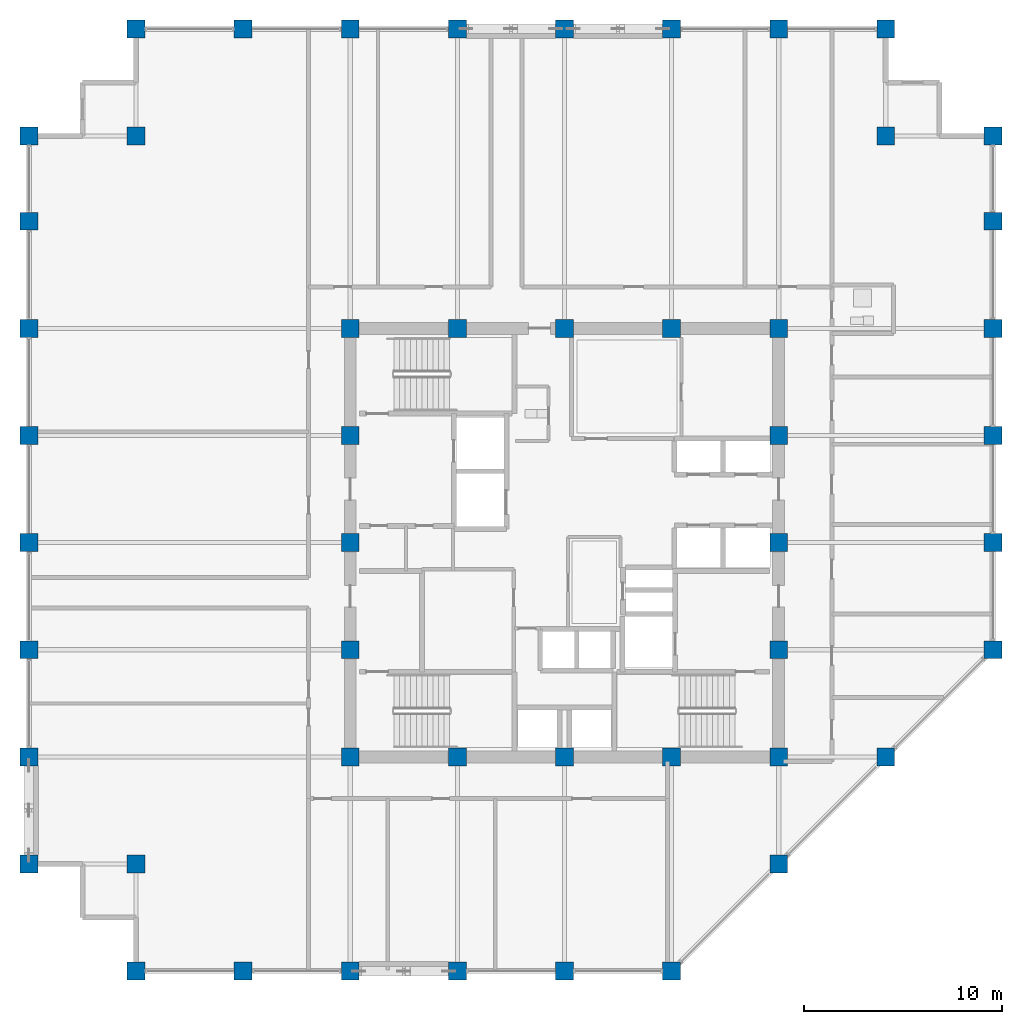
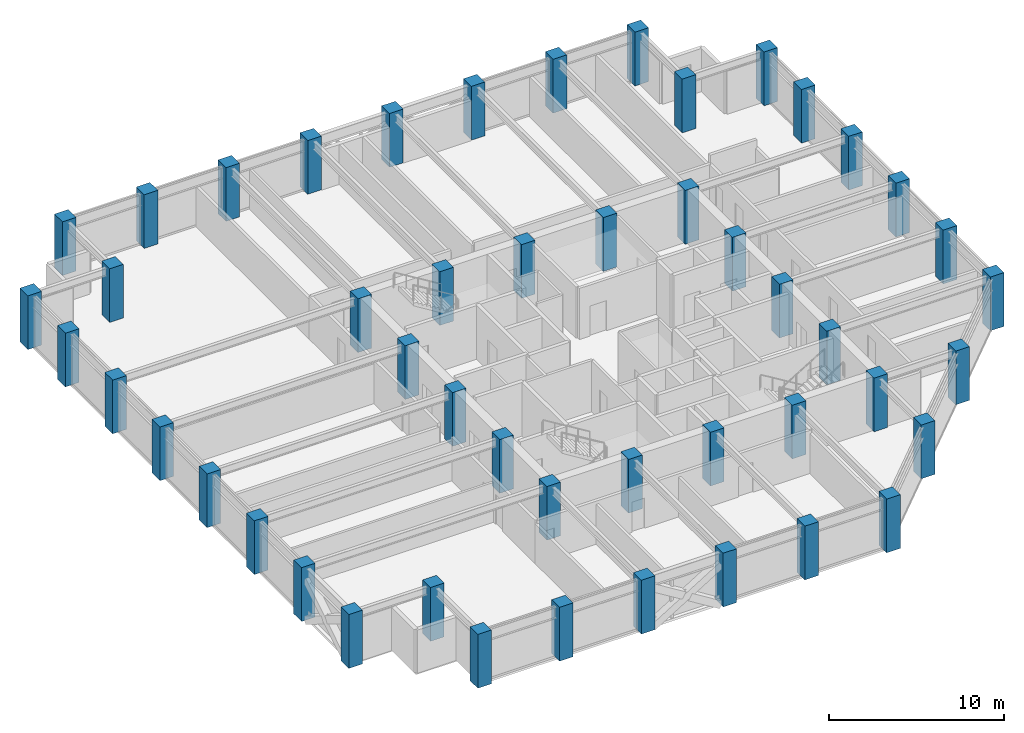
# One storey, part 1 of 32: 49 columns.
"""IFC4 building model written with IfcOpenShell, lengths in metres."""

from ifc_helpers import new_model, si_unit, direction, frame, origin, origin_2d, place, context, subcontext, project, spatial, rectangle, extrude, material, material_profile, profile_set, type_object, element, save


model = new_model("IFC4")

# Units and contexts
model_context = context("Model", 3, precision=1e-05, world=origin(), true_north=direction((0.0, 1.0)))
body_context = subcontext(model_context, "Body", "Model", "MODEL_VIEW")
ifc_project = project(units=[si_unit("LENGTHUNIT", "METRE"), si_unit("AREAUNIT", "SQUARE_METRE"), si_unit("VOLUMEUNIT", "CUBIC_METRE"), si_unit("PLANEANGLEUNIT", "RADIAN"), si_unit("MASSUNIT", "GRAM", prefix="KILO")], contexts=[model_context])

# Site, building, storey
site_placement = place(None, origin())
site = spatial("IfcSite", under=ifc_project, at=site_placement, CompositionType="ELEMENT")
building_placement = place(site_placement, origin())
building = spatial("IfcBuilding", under=site, at=building_placement, Name="Surkhivell Harbour Commons", CompositionType="ELEMENT")
storey_placement = place(building_placement, frame((0.0, 0.0, 212.25)))
storey = spatial("IfcBuildingStorey", under=building, at=storey_placement, Name="L55", CompositionType="ELEMENT", Elevation=212.25)

# Columns
ifc_material = material(Name="Concrete C60/75", Category="concrete")
ifc_material_profile = material_profile(ifc_material, rectangle(XDim=0.89990234375, YDim=0.89990234375, at=origin_2d()), Name="RC-COL-900x900")
ifc_profile_set = profile_set([ifc_material_profile], Name="Concrete C60/75")
column_type = type_object("IfcColumnType", Name="COL-TUBE-Z3A", PredefinedType="COLUMN", material=ifc_profile_set)
for number, where, z_axis, x_axis, name in (
    (1, (-27.0, -16.199951171875, 0.0), (0.0, 0.0, 1.0), (1.0, 0.0, 0.0), "L55 Column CT-3A (-27.0,-16.2)"),
    (2, (-27.0, -10.800048828125, 0.0), (0.0, 0.0, 1.0), (1.0, 0.0, 0.0), "L55 Column CT-3A (-27.0,-10.8)"),
    (3, (-27.0, -5.39990234375, 0.0), (0.0, 0.0, 1.0), (1.0, 0.0, 0.0), "L55 Column CT-3A (-27.0,-5.4)"),
    (4, (-27.0, 0.0, 0.0), (0.0, 0.0, 1.0), (1.0, 0.0, 0.0), "L55 Column CT-3A (-27.0,0.0)"),
    (5, (-27.0, 5.39990234375, 0.0), (0.0, 0.0, 1.0), (1.0, 0.0, 0.0), "L55 Column CT-3A (-27.0,5.4)"),
    (6, (-27.0, 10.800048828125, 0.0), (0.0, 0.0, 1.0), (1.0, 0.0, 0.0), "L55 Column CT-3A (-27.0,10.8)"),
    (7, (-27.0, 16.199951171875, 0.0), (0.0, 0.0, 1.0), (1.0, 0.0, 0.0), "L55 Column CT-3A (-27.0,16.2)"),
    (8, (-27.0, 20.5, 0.0), (0.0, 0.0, 1.0), (1.0, 0.0, 0.0), "L55 Column CT-3A (-27.0,20.5)"),
    (9, (-21.60009765625, -21.60009765625, 0.0), (0.0, 0.0, 1.0), (1.0, 0.0, 0.0), "L55 Column CT-3A (-21.6,-21.6)"),
    (10, (-21.60009765625, -16.199951171875, 0.0), (0.0, 0.0, 1.0), (1.0, 0.0, 0.0), "L55 Column CT-3A (-21.6,-16.2)"),
    (11, (-21.60009765625, 20.5, 0.0), (0.0, 0.0, 1.0), (1.0, 0.0, 0.0), "L55 Column CT-3A (-21.6,20.5)"),
    (12, (-21.60009765625, 25.89990234375, 0.0), (0.0, 0.0, 1.0), (1.0, 0.0, 0.0), "L55 Column CT-3A (-21.6,25.9)"),
    (13, (-16.199951171875, -21.60009765625, 0.0), (0.0, 0.0, 1.0), (1.0, 0.0, 0.0), "L55 Column CT-3A (-16.2,-21.6)"),
    (14, (-16.199951171875, 25.89990234375, 0.0), (0.0, 0.0, 1.0), (1.0, 0.0, 0.0), "L55 Column CT-3A (-16.2,25.9)"),
    (15, (-10.800048828125, -21.60009765625, 0.0), (0.0, 0.0, 1.0), (1.0, 0.0, 0.0), "L55 Column CT-3A (-10.8,-21.6)"),
    (16, (-10.800048828125, -10.800048828125, 0.0), (0.0, 0.0, 1.0), (1.0, 0.0, 0.0), "L55 Column CT-3A (-10.8,-10.8)"),
    (17, (-10.800048828125, -5.39990234375, 0.0), (0.0, 0.0, 1.0), (1.0, 0.0, 0.0), "L55 Column CT-3A (-10.8,-5.4)"),
    (18, (-10.800048828125, 0.0, 0.0), (0.0, 0.0, 1.0), (1.0, 0.0, 0.0), "L55 Column CT-3A (-10.8,0.0)"),
    (19, (-10.800048828125, 5.39990234375, 0.0), (0.0, 0.0, 1.0), (1.0, 0.0, 0.0), "L55 Column CT-3A (-10.8,5.4)"),
    (20, (-10.800048828125, 10.800048828125, 0.0), (0.0, 0.0, 1.0), (1.0, 0.0, 0.0), "L55 Column CT-3A (-10.8,10.8)"),
    (21, (-10.800048828125, 25.89990234375, 0.0), (0.0, 0.0, 1.0), (1.0, 0.0, 0.0), "L55 Column CT-3A (-10.8,25.9)"),
    (22, (-5.39990234375, -21.60009765625, 0.0), (0.0, 0.0, 1.0), (1.0, 0.0, 0.0), "L55 Column CT-3A (-5.4,-21.6)"),
    (23, (-5.39990234375, -10.800048828125, 0.0), (0.0, 0.0, 1.0), (1.0, 0.0, 0.0), "L55 Column CT-3A (-5.4,-10.8)"),
    (24, (-5.39990234375, 10.800048828125, 0.0), (0.0, 0.0, 1.0), (1.0, 0.0, 0.0), "L55 Column CT-3A (-5.4,10.8)"),
    (25, (-5.39990234375, 25.89990234375, 0.0), (0.0, 0.0, 1.0), (1.0, 0.0, 0.0), "L55 Column CT-3A (-5.4,25.9)"),
    (26, (0.0, -21.60009765625, 0.0), (0.0, 0.0, 1.0), (1.0, 0.0, 0.0), "L55 Column CT-3A (-0.0,-21.6)"),
    (27, (0.0, -10.800048828125, 0.0), (0.0, 0.0, 1.0), (1.0, 0.0, 0.0), "L55 Column CT-3A (0.0,-10.8)"),
    (28, (0.0, 10.800048828125, 0.0), (0.0, 0.0, 1.0), (1.0, 0.0, 0.0), "L55 Column CT-3A (0.0,10.8)"),
    (29, (0.0, 25.89990234375, 0.0), (0.0, 0.0, 1.0), (1.0, 0.0, 0.0), "L55 Column CT-3A (-0.0,25.9)"),
    (30, (5.39990234375, -21.60009765625, 0.0), (0.0, 0.0, 1.0), (1.0, 0.0, 0.0), "L55 Column CT-3A (5.4,-21.6)"),
    (31, (5.39990234375, -10.800048828125, 0.0), (0.0, 0.0, 1.0), (1.0, 0.0, 0.0), "L55 Column CT-3A (5.4,-10.8)"),
    (32, (5.39990234375, 10.800048828125, 0.0), (0.0, 0.0, 1.0), (1.0, 0.0, 0.0), "L55 Column CT-3A (5.4,10.8)"),
    (33, (5.39990234375, 25.89990234375, 0.0), (0.0, 0.0, 1.0), (1.0, 0.0, 0.0), "L55 Column CT-3A (5.4,25.9)"),
    (34, (10.800048828125, -16.199951171875, 0.0), (0.0, 0.0, 1.0), (1.0, 0.0, 0.0), "L55 Column CT-3A (10.8,-16.2)"),
    (35, (10.800048828125, -10.800048828125, 0.0), (0.0, 0.0, 1.0), (1.0, 0.0, 0.0), "L55 Column CT-3A (10.8,-10.8)"),
    (36, (10.800048828125, -5.39990234375, 0.0), (0.0, 0.0, 1.0), (1.0, 0.0, 0.0), "L55 Column CT-3A (10.8,-5.4)"),
    (37, (10.800048828125, 0.0, 0.0), (0.0, 0.0, 1.0), (1.0, 0.0, 0.0), "L55 Column CT-3A (10.8,0.0)"),
    (38, (10.800048828125, 5.39990234375, 0.0), (0.0, 0.0, 1.0), (1.0, 0.0, 0.0), "L55 Column CT-3A (10.8,5.4)"),
    (39, (10.800048828125, 10.800048828125, 0.0), (0.0, 0.0, 1.0), (1.0, 0.0, 0.0), "L55 Column CT-3A (10.8,10.8)"),
    (40, (10.800048828125, 25.89990234375, 0.0), (0.0, 0.0, 1.0), (1.0, 0.0, 0.0), "L55 Column CT-3A (10.8,25.9)"),
    (41, (16.199951171875, -10.800048828125, 0.0), (0.0, 0.0, 1.0), (1.0, 0.0, 0.0), "L55 Column CT-3A (16.2,-10.8)"),
    (42, (16.199951171875, 20.5, 0.0), (0.0, 0.0, 1.0), (1.0, 0.0, 0.0), "L55 Column CT-3A (16.2,20.5)"),
    (43, (16.199951171875, 25.89990234375, 0.0), (0.0, 0.0, 1.0), (1.0, 0.0, 0.0), "L55 Column CT-3A (16.2,25.9)"),
    (44, (21.60009765625, -5.39990234375, 0.0), (0.0, 0.0, 1.0), (1.0, 0.0, 0.0), "L55 Column CT-3A (21.6,-5.4)"),
    (45, (21.60009765625, 0.0, 0.0), (0.0, 0.0, 1.0), (1.0, 0.0, 0.0), "L55 Column CT-3A (21.6,0.0)"),
    (46, (21.60009765625, 5.39990234375, 0.0), (0.0, 0.0, 1.0), (1.0, 0.0, 0.0), "L55 Column CT-3A (21.6,5.4)"),
    (47, (21.60009765625, 10.800048828125, 0.0), (0.0, 0.0, 1.0), (1.0, 0.0, 0.0), "L55 Column CT-3A (21.6,10.8)"),
    (48, (21.60009765625, 16.199951171875, 0.0), (0.0, 0.0, 1.0), (1.0, 0.0, 0.0), "L55 Column CT-3A (21.6,16.2)"),
    (49, (21.60009765625, 20.5, 0.0), (0.0, 0.0, 1.0), (1.0, 0.0, 0.0), "L55 Column CT-3A (21.6,20.5)"),
):
    element("IfcColumn", number, at=place(storey_placement, frame(where, z_axis=z_axis, x_axis=x_axis)), inside=storey, type_object=column_type, Name=name, PredefinedType="COLUMN", context=body_context, shape_type="SweptSolid", body=[
        extrude(rectangle(XDim=0.89990234375, YDim=0.89990234375, at=origin_2d()), origin(), (0.0, 0.0, 1.0), 3.75),
    ])

save(model, "model.ifc")
